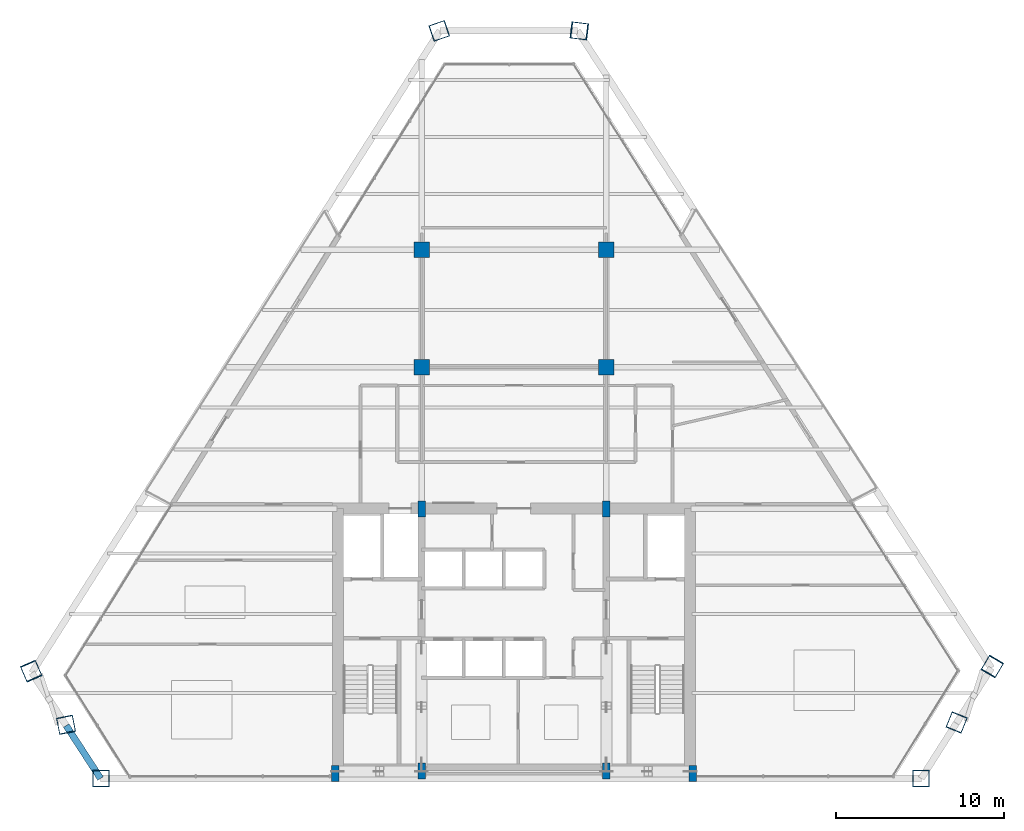
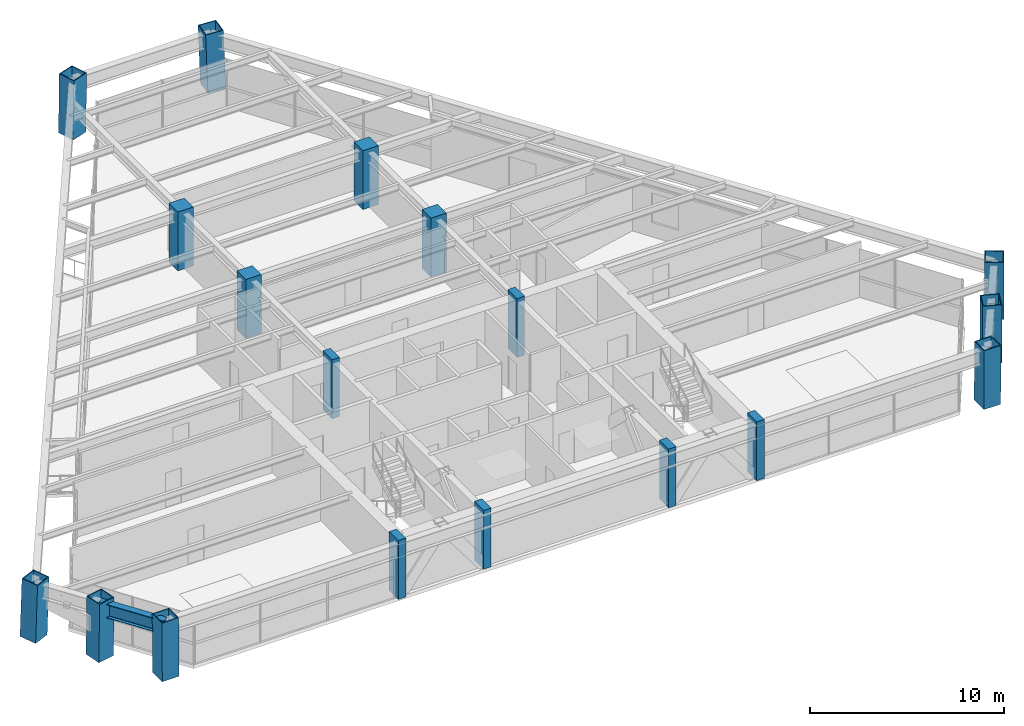
# One storey, part 1 of 15: 18 columns, 1 beam.
"""IFC4 building model written with IfcOpenShell, lengths in metres."""

from ifc_helpers import new_model, si_unit, direction, frame, origin, origin_2d, place, context, subcontext, project, spatial, rectangle, hollow_rectangle, i_section, extrude, source, transform, mapped, material, material_profile, profile_set, type_object, type_shapes, element, save


model = new_model("IFC4")

# Units and contexts
model_context = context("Model", 3, precision=1e-05, world=origin(), true_north=direction((0.0, 1.0)))
body_context = subcontext(model_context, "Body", "Model", "MODEL_VIEW")
ifc_project = project(units=[si_unit("LENGTHUNIT", "METRE"), si_unit("AREAUNIT", "SQUARE_METRE"), si_unit("VOLUMEUNIT", "CUBIC_METRE"), si_unit("PLANEANGLEUNIT", "RADIAN"), si_unit("MASSUNIT", "GRAM", prefix="KILO")], contexts=[model_context])

# Site, building, storey
site_placement = place(None, origin())
site = spatial("IfcSite", under=ifc_project, at=site_placement, CompositionType="ELEMENT")
building_placement = place(site_placement, origin())
building = spatial("IfcBuilding", under=site, at=building_placement, Name="Varnakhor Terracotta Tower", CompositionType="ELEMENT")
storey_placement = place(building_placement, frame((0.0, 0.0, 185.800048828125)))
storey = spatial("IfcBuildingStorey", under=building, at=storey_placement, Name="L47", CompositionType="ELEMENT", Elevation=185.800048828125)

# Columns
ifc_material_1 = material(Name="Concrete C50/60", Category="concrete")
ifc_material_profile_1 = material_profile(ifc_material_1, rectangle(XDim=0.449951171875, YDim=0.949951171875, at=origin_2d()), Name="RC PILASTER 950x450")
ifc_profile_set_1 = profile_set([ifc_material_profile_1], Name="Concrete C50/60")
column_type_1 = type_object("IfcColumnType", Name="COL-PIL-950x450", PredefinedType="PILASTER", material=ifc_profile_set_1)
shared_shape_1 = source(origin(), body_context, "Body", "SweptSolid", [
    extrude(rectangle(XDim=0.449951171875, YDim=0.949951171875, at=origin_2d()), origin(), (0.0, 0.0, 1.0), 3.699951171875),
])
for number, where, z_axis, x_axis, name in (
    (1, (-10.64990234375, 0.300048828125, 0.0), (0.0, 0.0, 1.0), (1.0, 0.0, 0.0), "L47 Core Pilaster CP1"),
    (2, (-5.5, 0.449951171875, 0.0), (0.0, 0.0, 1.0), (1.0, 0.0, 0.0), "L47 Core Pilaster CP2"),
    (3, (5.5, 0.449951171875, 0.0), (0.0, 0.0, 1.0), (1.0, 0.0, 0.0), "L47 Core Pilaster CP3"),
    (4, (10.64990234375, 0.300048828125, 0.0), (0.0, 0.0, 1.0), (1.0, 0.0, 0.0), "L47 Core Pilaster CP4"),
    (5, (-5.5, 16.050048828125, 0.0), (0.0, 0.0, 1.0), (1.0, 0.0, 0.0), "L47 Core Pilaster CP5"),
    (6, (5.5, 16.050048828125, 0.0), (0.0, 0.0, 1.0), (1.0, 0.0, 0.0), "L47 Core Pilaster CP6"),
):
    element("IfcColumn", number, at=place(storey_placement, frame(where, z_axis=z_axis, x_axis=x_axis)), inside=storey, type_object=column_type_1, Name=name, PredefinedType="PILASTER", context=body_context, shape_type="MappedRepresentation", body=[
        mapped(shared_shape_1, transform((0.0, 0.0, 0.0), scale=1.0)),
    ])
ifc_material_profile_2 = material_profile(ifc_material_1, rectangle(XDim=0.919921875, YDim=0.919921875, at=origin_2d()), Name="RC 920x920")
ifc_profile_set_2 = profile_set([ifc_material_profile_2], Name="Concrete C50/60")
column_type_2 = type_object("IfcColumnType", Name="COL-RC-920", PredefinedType="COLUMN", material=ifc_profile_set_2)
shared_shape_2 = source(origin(), body_context, "Body", "SweptSolid", [
    extrude(rectangle(XDim=0.919921875, YDim=0.919921875, at=origin_2d()), origin(), (0.0, 0.0, 1.0), 3.699951171875),
])
for number, where, z_axis, x_axis, name in (
    (7, (-5.5, 24.5, 0.0), (0.0, 0.0, 1.0), (1.0, 0.0, 0.0), "L47 Interior Tower Column IC1"),
    (8, (5.5, 24.5, 0.0), (0.0, 0.0, 1.0), (1.0, 0.0, 0.0), "L47 Interior Tower Column IC2"),
    (9, (-5.5, 31.5, 0.0), (0.0, 0.0, 1.0), (1.0, 0.0, 0.0), "L47 Interior Tower Column IC3"),
    (10, (5.5, 31.5, 0.0), (0.0, 0.0, 1.0), (1.0, 0.0, 0.0), "L47 Interior Tower Column IC4"),
):
    element("IfcColumn", number, at=place(storey_placement, frame(where, z_axis=z_axis, x_axis=x_axis)), inside=storey, type_object=column_type_2, Name=name, PredefinedType="COLUMN", context=body_context, shape_type="MappedRepresentation", body=[
        mapped(shared_shape_2, transform((0.0, 0.0, 0.0), scale=1.0)),
    ])
ifc_material_2 = material(Name="Steel S460", Category="steel")
ifc_material_profile_3 = material_profile(ifc_material_2, hollow_rectangle(XDim=1.0, YDim=1.0, WallThickness=0.050048828125, at=origin_2d()), Name="BOX 1000x1000x50")
ifc_profile_set_3 = profile_set([ifc_material_profile_3], Name="Steel S460")
column_type_3 = type_object("IfcColumnType", Name="COL-MEGA-1000", PredefinedType="COLUMN", material=ifc_profile_set_3)
shared_shape_3 = source(origin(), body_context, "Body", "SweptSolid", [
    extrude(hollow_rectangle(XDim=1.0, YDim=1.0, WallThickness=0.050048828125, at=origin_2d()), origin(), (0.0, 0.0, 1.0), 3.69140625),
])
type_shapes(column_type_3, [shared_shape_3])
column_1_placement = place(storey_placement, frame((-4.457763671875, 44.519775390625, 0.00439453125), z_axis=(0.012499734633, 0.004298850535, 0.999912634443), x_axis=(-0.325219597367, 0.945638521576, 0.0)))
element("IfcColumn", 11, at=column_1_placement, inside=storey, type_object=column_type_3, Name="L47 Perimeter Mega-Column M6", PredefinedType="COLUMN", context=body_context, shape_type="MappedRepresentation", body=[
    mapped(shared_shape_3, transform((0.0, 0.0, 0.0), scale=1.0)),
])
shared_shape_4 = source(origin(), body_context, "Body", "SweptSolid", [
    extrude(hollow_rectangle(XDim=1.0, YDim=1.0, WallThickness=0.050048828125, at=origin_2d()), origin(), (0.0, 0.0, 1.0), 3.691162109375),
])
for number, where, z_axis, x_axis, name in (
    (12, (-24.595458984375, 0.0, 0.00439453125), (-0.007209284172, 0.0, 0.999974012773), (0.0, -1.0, 0.0), "L47 Perimeter Mega-Column M1"),
    (13, (24.23779296875, 0.0, 0.00439453125), (0.005357420303, 0.0, 0.999985648921), (0.0, 1.0, 0.0), "L47 Perimeter Mega-Column M2"),
):
    element("IfcColumn", number, at=place(storey_placement, frame(where, z_axis=z_axis, x_axis=x_axis)), inside=storey, type_object=column_type_3, Name=name, PredefinedType="COLUMN", context=body_context, shape_type="MappedRepresentation", body=[
        mapped(shared_shape_4, transform((0.0, 0.0, 0.0), scale=1.0)),
    ])
shared_shape_5 = source(origin(), body_context, "Body", "SweptSolid", [
    extrude(hollow_rectangle(XDim=1.0, YDim=1.0, WallThickness=0.050048828125, at=origin_2d()), origin(), (0.0, 0.0, 1.0), 3.691650390625),
])
for number, where, z_axis, x_axis, name in (
    (14, (26.369384765625, 3.343017578125, 0.00439453125), (-0.005952033366, -0.014615548598, 0.999875471765), (0.926146582901, -0.377163766792, 0.0), "L47 Perimeter Mega-Column M3"),
    (15, (-26.677734375, 3.2041015625, 0.00439453125), (0.003108287102, -0.015409167975, 0.999876440413), (0.980255717066, 0.197733985846, 0.0), "L47 Perimeter Mega-Column M8"),
):
    element("IfcColumn", number, at=place(storey_placement, frame(where, z_axis=z_axis, x_axis=x_axis)), inside=storey, type_object=column_type_3, Name=name, PredefinedType="COLUMN", context=body_context, shape_type="MappedRepresentation", body=[
        mapped(shared_shape_5, transform((0.0, 0.0, 0.0), scale=1.0)),
    ])
shared_shape_6 = source(origin(), body_context, "Body", "SweptSolid", [
    extrude(hollow_rectangle(XDim=1.0, YDim=1.0, WallThickness=0.050048828125, at=origin_2d()), origin(), (0.0, 0.0, 1.0), 3.693359375),
])
for number, where, z_axis, x_axis, name in (
    (16, (28.501220703125, 6.686279296875, 0.00439453125), (-0.017319122695, -0.02934996365, 0.999419145115), (0.861235298712, -0.508206415006, 0.0), "L47 Perimeter Mega-Column M4"),
    (17, (-28.760009765625, 6.408447265625, 0.00439453125), (0.013485269875, -0.030936795596, 0.999430368847), (0.916695964708, 0.399585420514, 0.0), "L47 Perimeter Mega-Column M7"),
):
    element("IfcColumn", number, at=place(storey_placement, frame(where, z_axis=z_axis, x_axis=x_axis)), inside=storey, type_object=column_type_3, Name=name, PredefinedType="COLUMN", context=body_context, shape_type="MappedRepresentation", body=[
        mapped(shared_shape_6, transform((0.0, 0.0, 0.0), scale=1.0)),
    ])
shared_shape_7 = source(origin(), body_context, "Body", "SweptSolid", [
    extrude(hollow_rectangle(XDim=1.0, YDim=1.0, WallThickness=0.050048828125, at=origin_2d()), origin(), (0.0, 0.0, 1.0), 3.693603515625),
])
column_2_placement = place(storey_placement, frame((3.91357421875, 44.519775390625, 0.00439453125), z_axis=(-0.035297460563, 0.004296507372, 0.999367614696), x_axis=(-0.120830994539, -0.992673093601, 0.0)))
element("IfcColumn", 18, at=column_2_placement, inside=storey, type_object=column_type_3, Name="L47 Perimeter Mega-Column M5", PredefinedType="COLUMN", context=body_context, shape_type="MappedRepresentation", body=[
    mapped(shared_shape_7, transform((0.0, 0.0, 0.0), scale=1.0)),
])

# Beam
ifc_material_3 = material(Name="Steel S355", Category="steel")
ifc_material_profile_4 = material_profile(ifc_material_3, i_section(OverallWidth=0.39990234375, OverallDepth=0.85498046875, WebThickness=0.01806640625, FlangeThickness=0.029052734375, FilletRadius=0.01806640625, at=origin_2d()), Name="W33X201")
ifc_profile_set_4 = profile_set([ifc_material_profile_4], Name="Steel S355")
beam_type = type_object("IfcBeamType", Name="BM-W33X201", PredefinedType="BEAM", material=ifc_profile_set_4)
shared_shape_8 = source(origin(), body_context, "Body", "SweptSolid", [
    extrude(i_section(OverallWidth=0.39990234375, OverallDepth=0.85498046875, WebThickness=0.01806640625, FlangeThickness=0.029052734375, FilletRadius=0.01806640625, at=origin_2d()), origin(), (0.0, 0.0, 1.0), 3.7529296875),
])
beam_placement = place(storey_placement, frame((-26.666259765625, 3.147216796875, 3.04248046875), z_axis=(0.544707062016, -0.838626386772, 0.0), x_axis=(0.838626386772, 0.544707062016, 0.0)))
element("IfcBeam", 19, at=beam_placement, inside=storey, type_object=beam_type, Name="L47 Perimeter Spandrel 8", PredefinedType="BEAM", context=body_context, shape_type="MappedRepresentation", body=[
    mapped(shared_shape_8, transform((0.0, 0.0, 0.0), scale=1.0)),
])

save(model, "model.ifc")
